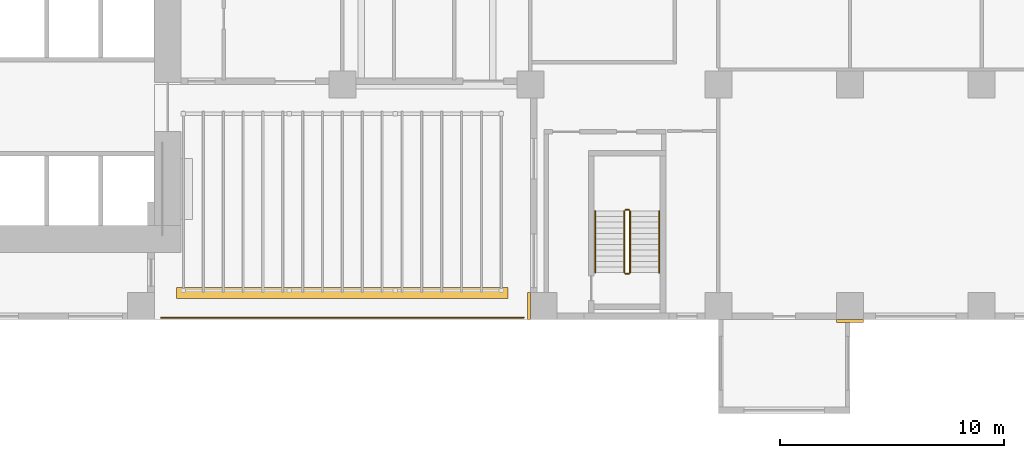
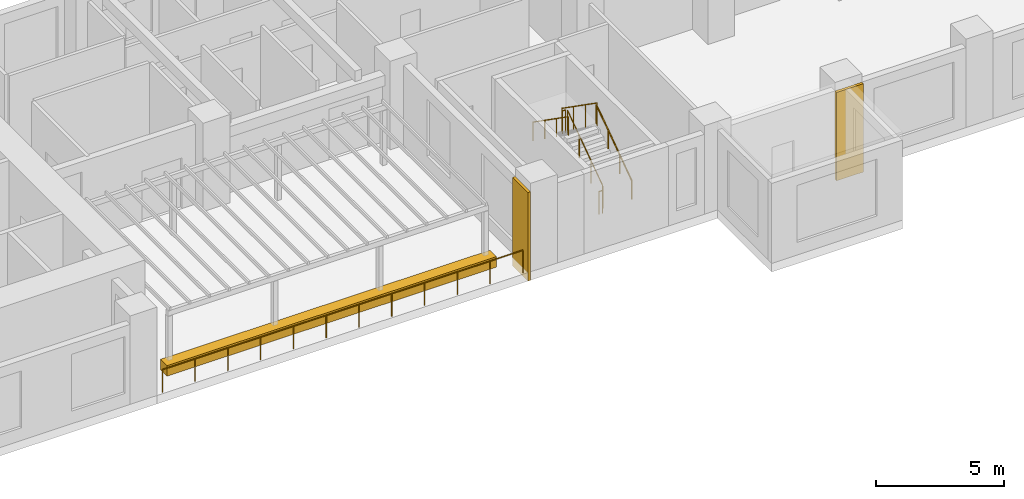
# One storey, part 14 of 17: 7 railings, 3 coverings.
"""IFC4 building model written with IfcOpenShell, lengths in metres."""

from ifc_helpers import new_model, si_unit, direction, frame, origin, origin_2d, place, context, subcontext, project, spatial, rectangle, circle, extrude, source, transform, mapped, material, type_object, element, save


model = new_model("IFC4")

# Units and contexts
model_context = context("Model", 3, precision=1e-05, world=origin(), true_north=direction((0.0, 1.0)))
body_context = subcontext(model_context, "Body", "Model", "MODEL_VIEW")
ifc_project = project(units=[si_unit("LENGTHUNIT", "METRE"), si_unit("AREAUNIT", "SQUARE_METRE"), si_unit("VOLUMEUNIT", "CUBIC_METRE"), si_unit("PLANEANGLEUNIT", "RADIAN"), si_unit("MASSUNIT", "GRAM", prefix="KILO")], contexts=[model_context])

# Site, building, storey
site_placement = place(None, origin())
site = spatial("IfcSite", under=ifc_project, at=site_placement, CompositionType="ELEMENT")
building_placement = place(site_placement, origin())
building = spatial("IfcBuilding", under=site, at=building_placement, Name="Aurelian Terraces", CompositionType="ELEMENT")
storey_placement = place(building_placement, frame((0.0, 0.0, 48.9)))
storey = spatial("IfcBuildingStorey", under=building, at=storey_placement, Name="L09", CompositionType="ELEMENT", Elevation=48.9)

# Railing
ifc_material_1 = material(Name="Anodised aluminium", Category="aluminium")
railing_type_1 = type_object("IfcRailingType", Name="GUARD-1100", PredefinedType="GUARDRAIL", material=ifc_material_1)
railing_1_placement = place(storey_placement, frame((37.5, 0.09, 0.0)))
element("IfcRailing", 1, at=railing_1_placement, inside=storey, type_object=railing_type_1, Name="Terrace guard L09 SKY-01-T1.1", PredefinedType="GUARDRAIL", context=body_context, shape_type="SweptSolid", body=[
    extrude(circle(Radius=0.024, at=origin_2d()), frame((0.0, 0.0, 1.076), z_axis=(-1.0, 0.0, 0.0), x_axis=(0.0, -1.0, 0.0)), (0.0, 0.0, 1.0), 16.2),
    extrude(circle(Radius=0.021, at=origin_2d()), origin(), (0.0, 0.0, 1.0), 1.052),
    extrude(circle(Radius=0.021, at=origin_2d()), frame((-1.4727, 0.0, 0.0)), (0.0, 0.0, 1.0), 1.052),
    extrude(circle(Radius=0.021, at=origin_2d()), frame((-2.9455, 0.0, 0.0)), (0.0, 0.0, 1.0), 1.052),
    extrude(circle(Radius=0.021, at=origin_2d()), frame((-4.4182, 0.0, 0.0)), (0.0, 0.0, 1.0), 1.052),
    extrude(circle(Radius=0.021, at=origin_2d()), frame((-5.8909, 0.0, 0.0)), (0.0, 0.0, 1.0), 1.052),
    extrude(circle(Radius=0.021, at=origin_2d()), frame((-7.3636, 0.0, 0.0)), (0.0, 0.0, 1.0), 1.052),
    extrude(circle(Radius=0.021, at=origin_2d()), frame((-8.8364, 0.0, 0.0)), (0.0, 0.0, 1.0), 1.052),
    extrude(circle(Radius=0.021, at=origin_2d()), frame((-10.3091, 0.0, 0.0)), (0.0, 0.0, 1.0), 1.052),
    extrude(circle(Radius=0.021, at=origin_2d()), frame((-11.7818, 0.0, 0.0)), (0.0, 0.0, 1.0), 1.052),
    extrude(circle(Radius=0.021, at=origin_2d()), frame((-13.2545, 0.0, 0.0)), (0.0, 0.0, 1.0), 1.052),
    extrude(circle(Radius=0.021, at=origin_2d()), frame((-14.7273, 0.0, 0.0)), (0.0, 0.0, 1.0), 1.052),
    extrude(circle(Radius=0.021, at=origin_2d()), frame((-16.2, 0.0, 0.0)), (0.0, 0.0, 1.0), 1.052),
])

# Coverings
ifc_material_2 = material(Name="Terracotta planter with planting soil", Category="masonry")
covering_type_1 = type_object("IfcCoveringType", Name="PLANTER-TROUGH", PredefinedType="USERDEFINED", material=ifc_material_2)
covering_1_placement = place(storey_placement, frame((29.4, 1.19, 0.0), z_axis=(0.0, 0.0, 1.0), x_axis=(1.0, 0.0, 0.0)))
element("IfcCovering", 2, at=covering_1_placement, inside=storey, type_object=covering_type_1, Name="PLANTER L09 terrace SKY-01-T1-0.1", ObjectType="PLANTER", PredefinedType="USERDEFINED", context=body_context, shape_type="SweptSolid", body=[
    extrude(rectangle(XDim=14.8, YDim=0.5, at=origin_2d()), origin(), (0.0, 0.0, 1.0), 0.5),
])
ifc_material_3 = material(Name="Terracotta rainscreen cladding relief", Category="masonry")
covering_type_2 = type_object("IfcCoveringType", Name="BAGUETTE-TC", PredefinedType="CLADDING", material=ifc_material_3)
shared_shape_1 = source(origin(), body_context, "Body", "SweptSolid", [
    extrude(rectangle(XDim=1.2, YDim=0.12, at=origin_2d()), origin(), (0.0, 0.0, 1.0), 4.2),
])
covering_2_placement = place(storey_placement, frame((52.08, -0.06, -0.4), z_axis=(0.0, 0.0, 1.0), x_axis=(1.0, 0.0, 0.0)))
element("IfcCovering", 3, at=covering_2_placement, inside=storey, type_object=covering_type_2, Name="BAGUETTE pier L09 3", PredefinedType="CLADDING", context=body_context, shape_type="MappedRepresentation", body=[
    mapped(shared_shape_1, transform((0.0, 0.0, 0.0), scale=1.0)),
])
shared_shape_2 = source(origin(), body_context, "Body", "SweptSolid", [
    extrude(rectangle(XDim=0.12, YDim=1.2, at=origin_2d()), origin(), (0.0, 0.0, 1.0), 4.2),
])
covering_3_placement = place(storey_placement, frame((37.74, 0.6, -0.4), z_axis=(0.0, 0.0, 1.0), x_axis=(1.0, 0.0, 0.0)))
element("IfcCovering", 4, at=covering_3_placement, inside=storey, type_object=covering_type_2, Name="BAGUETTE pier L09 2", PredefinedType="CLADDING", context=body_context, shape_type="MappedRepresentation", body=[
    mapped(shared_shape_2, transform((0.0, 0.0, 0.0), scale=1.0)),
])

# Railings
ifc_material_4 = material(Name="Stainless steel", Category="steel")
railing_type_2 = type_object("IfcRailingType", Name="Stair guard 1100", PredefinedType="GUARDRAIL", material=ifc_material_4)
shared_shape_3 = source(origin(), body_context, "Body", "SweptSolid", [
    extrude(circle(Radius=0.024, at=origin_2d()), frame((0.0, 0.0, 1.076), z_axis=(-1.0, 0.0, 0.0), x_axis=(0.0, -1.0, 0.0)), (0.0, 0.0, 1.0), 0.15),
    extrude(circle(Radius=0.021, at=origin_2d()), origin(), (0.0, 0.0, 1.0), 1.052),
    extrude(circle(Radius=0.021, at=origin_2d()), frame((-0.15, 0.0, 0.0)), (0.0, 0.0, 1.0), 1.052),
])
for number, where, name in (
    (5, (42.2, 4.9, 2.1), "L09 S2 stair guard 2"),
    (6, (42.2, 2.05, 0.0), "L09 S2 stair guard 4"),
):
    element("IfcRailing", number, at=place(storey_placement, frame(where)), inside=storey, type_object=railing_type_2, Name=name, PredefinedType="GUARDRAIL", context=body_context, shape_type="MappedRepresentation", body=[
        mapped(shared_shape_3, transform((0.0, 0.0, 0.0), scale=1.0)),
    ])
shared_shape_4 = source(origin(), body_context, "Body", "SweptSolid", [
    extrude(circle(Radius=0.024, at=origin_2d()), frame((0.0, 0.0, 1.076), z_axis=(0.0, 0.819231920519, 0.573462344363), x_axis=(-1.0, 0.0, 0.0)), (0.0, 0.0, 1.0), 3.3568),
    extrude(circle(Radius=0.021, at=origin_2d()), origin(), (0.0, 0.0, 1.0), 1.052),
    extrude(circle(Radius=0.021, at=origin_2d()), frame((0.0, 0.9167, 0.6417)), (0.0, 0.0, 1.0), 1.052),
    extrude(circle(Radius=0.021, at=origin_2d()), frame((0.0, 1.8333, 1.2833)), (0.0, 0.0, 1.0), 1.052),
    extrude(circle(Radius=0.021, at=origin_2d()), frame((0.0, 2.75, 1.925)), (0.0, 0.0, 1.0), 1.052),
])
railing_2_placement = place(storey_placement, frame((42.25, 2.1, 0.175)))
element("IfcRailing", 7, at=railing_2_placement, inside=storey, type_object=railing_type_2, Name="L09 S2 stair guard 1", PredefinedType="GUARDRAIL", context=body_context, shape_type="MappedRepresentation", body=[
    mapped(shared_shape_4, transform((0.0, 0.0, 0.0), scale=1.0)),
])
shared_shape_5 = source(origin(), body_context, "Body", "SweptSolid", [
    extrude(circle(Radius=0.024, at=origin_2d()), frame((0.0, 0.0, 1.076), z_axis=(0.0, -0.819231920519, 0.573462344363), x_axis=(1.0, 0.0, 0.0)), (0.0, 0.0, 1.0), 3.3568),
    extrude(circle(Radius=0.021, at=origin_2d()), origin(), (0.0, 0.0, 1.0), 1.052),
    extrude(circle(Radius=0.021, at=origin_2d()), frame((0.0, -0.9167, 0.6417)), (0.0, 0.0, 1.0), 1.052),
    extrude(circle(Radius=0.021, at=origin_2d()), frame((0.0, -1.8333, 1.2833)), (0.0, 0.0, 1.0), 1.052),
    extrude(circle(Radius=0.021, at=origin_2d()), frame((0.0, -2.75, 1.925)), (0.0, 0.0, 1.0), 1.052),
])
railing_3_placement = place(storey_placement, frame((42.0, 4.85, 2.275)))
element("IfcRailing", 8, at=railing_3_placement, inside=storey, type_object=railing_type_2, Name="L09 S2 stair guard 3", PredefinedType="GUARDRAIL", context=body_context, shape_type="MappedRepresentation", body=[
    mapped(shared_shape_5, transform((0.0, 0.0, 0.0), scale=1.0)),
])
railing_type_3 = type_object("IfcRailingType", Name="Stair handrail", PredefinedType="HANDRAIL", material=ifc_material_4)
shared_shape_6 = source(origin(), body_context, "Body", "SweptSolid", [
    extrude(circle(Radius=0.024, at=origin_2d()), frame((0.0, 0.0, 0.876), z_axis=(0.0, 0.819231920519, 0.573462344363), x_axis=(-1.0, 0.0, 0.0)), (0.0, 0.0, 1.0), 3.3568),
    extrude(circle(Radius=0.021, at=origin_2d()), origin(), (0.0, 0.0, 1.0), 0.852),
    extrude(circle(Radius=0.021, at=origin_2d()), frame((0.0, 0.9167, 0.6417)), (0.0, 0.0, 1.0), 0.852),
    extrude(circle(Radius=0.021, at=origin_2d()), frame((0.0, 1.8333, 1.2833)), (0.0, 0.0, 1.0), 0.852),
    extrude(circle(Radius=0.021, at=origin_2d()), frame((0.0, 2.75, 1.925)), (0.0, 0.0, 1.0), 0.852),
])
railing_4_placement = place(storey_placement, frame((43.55, 2.1, 0.175)))
element("IfcRailing", 9, at=railing_4_placement, inside=storey, type_object=railing_type_3, Name="L09 S2 stair handrail 1", PredefinedType="HANDRAIL", context=body_context, shape_type="MappedRepresentation", body=[
    mapped(shared_shape_6, transform((0.0, 0.0, 0.0), scale=1.0)),
])
shared_shape_7 = source(origin(), body_context, "Body", "SweptSolid", [
    extrude(circle(Radius=0.024, at=origin_2d()), frame((0.0, 0.0, 0.876), z_axis=(0.0, -0.819231920519, 0.573462344363), x_axis=(1.0, 0.0, 0.0)), (0.0, 0.0, 1.0), 3.3568),
    extrude(circle(Radius=0.021, at=origin_2d()), origin(), (0.0, 0.0, 1.0), 0.852),
    extrude(circle(Radius=0.021, at=origin_2d()), frame((0.0, -0.9167, 0.6417)), (0.0, 0.0, 1.0), 0.852),
    extrude(circle(Radius=0.021, at=origin_2d()), frame((0.0, -1.8333, 1.2833)), (0.0, 0.0, 1.0), 0.852),
    extrude(circle(Radius=0.021, at=origin_2d()), frame((0.0, -2.75, 1.925)), (0.0, 0.0, 1.0), 0.852),
])
railing_5_placement = place(storey_placement, frame((40.7, 4.85, 2.275)))
element("IfcRailing", 10, at=railing_5_placement, inside=storey, type_object=railing_type_3, Name="L09 S2 stair handrail 2", PredefinedType="HANDRAIL", context=body_context, shape_type="MappedRepresentation", body=[
    mapped(shared_shape_7, transform((0.0, 0.0, 0.0), scale=1.0)),
])

save(model, "model.ifc")
